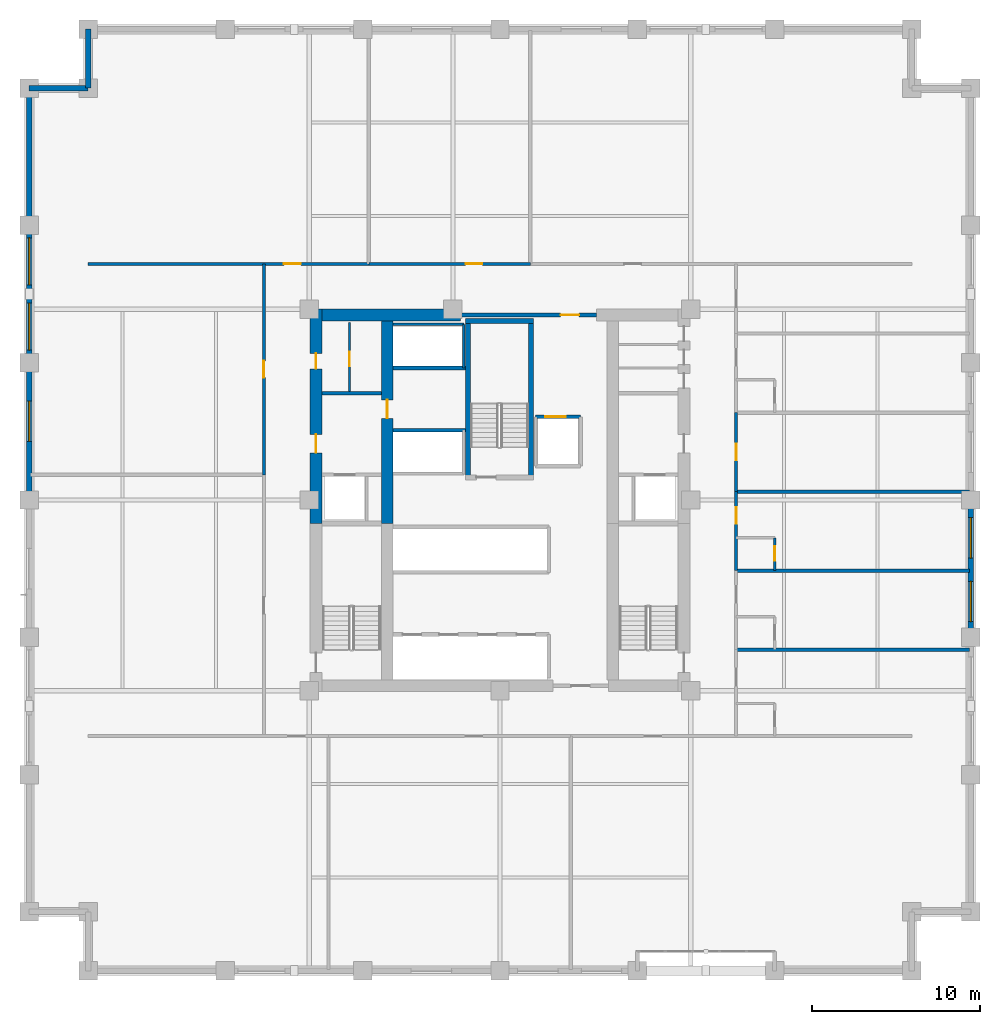
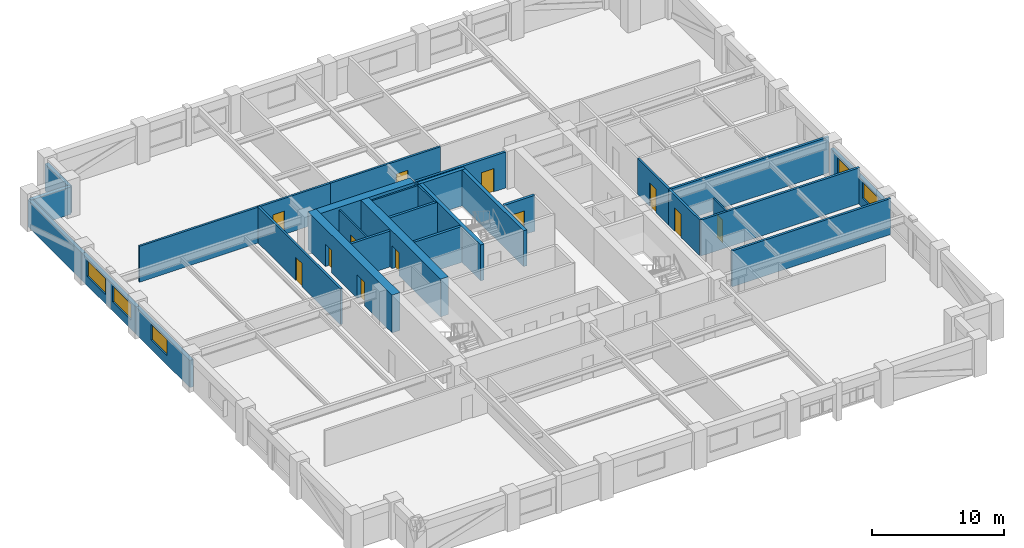
# One storey, part 7 of 11: 29 walls, 12 doors, 5 windows, 17 openings.
"""IFC4 building model written with IfcOpenShell, lengths in metres."""

from ifc_helpers import new_model, si_unit, direction, frame, frame_2d, origin, place, context, subcontext, project, spatial, rectangle, extrude, material, layer, layer_set, type_object, element, fill, save


model = new_model("IFC4")

# Units and contexts
model_context = context("Model", 3, precision=1e-05, world=origin(), true_north=direction((0.0, 1.0)))
body_context = subcontext(model_context, "Body", "Model", "MODEL_VIEW")
ifc_project = project(units=[si_unit("LENGTHUNIT", "METRE"), si_unit("AREAUNIT", "SQUARE_METRE"), si_unit("VOLUMEUNIT", "CUBIC_METRE"), si_unit("PLANEANGLEUNIT", "RADIAN"), si_unit("MASSUNIT", "GRAM", prefix="KILO")], contexts=[model_context])

# Site, building, storey
site_placement = place(None, origin())
site = spatial("IfcSite", under=ifc_project, at=site_placement, CompositionType="ELEMENT")
building_placement = place(site_placement, origin())
building = spatial("IfcBuilding", under=site, at=building_placement, Name="Nhamokura Convention Tower", CompositionType="ELEMENT")
storey_placement = place(building_placement, frame((0.0, 0.0, 70.35009765625)))
storey = spatial("IfcBuildingStorey", under=building, at=storey_placement, Name="L16", CompositionType="ELEMENT", Elevation=70.35009765625)

# Wall, opening, door
ifc_material_1 = material(Name="Moisture-resistant tile-backer partition", Category="masonry")
ifc_layer_1 = layer(ifc_material_1, 0.139892578125)
ifc_layer_set_1 = layer_set([ifc_layer_1], Name="BathroomWetWall_140")
wall_type_1 = type_object("IfcWallType", Name="BathroomWetWall_140", PredefinedType="STANDARD", material=ifc_layer_set_1)
wall_1_placement = place(storey_placement, frame((23.050048828125, 38.449951171875, 0.0), z_axis=(0.0, 0.0, 1.0), x_axis=(0.0, 1.0, 0.0)))
wall_1 = element("IfcWall", 1, at=wall_1_placement, inside=storey, type_object=wall_type_1, Name="L16 Wall INT-L16-CWNWV", PredefinedType="STANDARD", context=body_context, shape_type="SweptSolid", body=[
    extrude(rectangle(XDim=4.10009765625, YDim=0.139892578125, at=frame_2d((2.050048828125, 0.0))), origin(), (0.0, 0.0, 1.0), 3.31982421875),
])
opening_1_placement = place(wall_1_placement, frame((1.5, 0.0, 0.0)))
opening_1 = element("IfcOpeningElement", 2, at=opening_1_placement, cuts=wall_1, Name="Opening D-11", PredefinedType="OPENING", context=body_context, shape_type="SweptSolid", body=[
    extrude(rectangle(XDim=0.8798828125, YDim=2.10009765625, at=frame_2d((0.43994140625, 1.050048828125))), frame((0.0, 0.079833984375, 0.0), z_axis=(0.0, -1.0, 0.0), x_axis=(1.0, 0.0, 0.0)), (0.0, 0.0, 1.0), 0.159912109375),
])
ifc_material_2 = material(Name="Solid oak hardwood", Category="wood")
door_type_1 = type_object("IfcDoorType", Name="BathroomDoor_880", OperationType="NOTDEFINED", PredefinedType="DOOR", material=ifc_material_2)
door_1_placement = place(opening_1_placement, origin())
door_1 = element("IfcDoor", 3, at=door_1_placement, inside=storey, type_object=door_type_1, Name="L16 Inner Store Door", OperationType="SINGLE_SWING_LEFT", OverallHeight=2.10009765625, OverallWidth=0.8798828125, PredefinedType="DOOR", context=body_context, shape_type="SweptSolid", body=[
    extrude(rectangle(XDim=0.8798828125, YDim=2.10009765625, at=frame_2d((0.43994140625, 1.050048828125))), frame((0.0, 0.02490234375, 0.0), z_axis=(0.0, -1.0, 0.0), x_axis=(1.0, 0.0, 0.0)), (0.0, 0.0, 1.0), 0.050048828125),
])
fill(opening_1, door_1)

wall_2_placement = place(storey_placement, frame((48.35009765625, 27.800048828125, 0.0), z_axis=(0.0, 0.0, 1.0), x_axis=(0.0, 1.0, 0.0)))
wall_2 = element("IfcWall", 4, at=wall_2_placement, inside=storey, type_object=wall_type_1, Name="L16 Wall INT-L16-BW-E02E", PredefinedType="STANDARD", context=body_context, shape_type="SweptSolid", body=[
    extrude(rectangle(XDim=1.949951171875, YDim=0.139892578125, at=frame_2d((0.97509765625, 0.0))), origin(), (0.0, 0.0, 1.0), 3.31982421875),
])
opening_2_placement = place(wall_2_placement, frame((0.580078125, 0.0, 0.0)))
opening_2 = element("IfcOpeningElement", 5, at=opening_2_placement, cuts=wall_2, Name="Opening D-11", PredefinedType="OPENING", context=body_context, shape_type="SweptSolid", body=[
    extrude(rectangle(XDim=0.8798828125, YDim=2.10009765625, at=frame_2d((0.43994140625, 1.050048828125))), frame((0.0, 0.079833984375, 0.0), z_axis=(0.0, -1.0, 0.0), x_axis=(1.0, 0.0, 0.0)), (0.0, 0.0, 1.0), 0.159912109375),
])
door_2_placement = place(opening_2_placement, origin())
door_2 = element("IfcDoor", 6, at=door_2_placement, inside=storey, type_object=door_type_1, Name="L16 Guest Room En-suite Door", OperationType="SINGLE_SWING_LEFT", OverallHeight=2.10009765625, OverallWidth=0.8798828125, PredefinedType="DOOR", context=body_context, shape_type="SweptSolid", body=[
    extrude(rectangle(XDim=0.8798828125, YDim=2.10009765625, at=frame_2d((0.43994140625, 1.050048828125))), frame((0.0, 0.02490234375, 0.0), z_axis=(0.0, -1.0, 0.0), x_axis=(1.0, 0.0, 0.0)), (0.0, 0.0, 1.0), 0.050048828125),
])
fill(opening_2, door_2)

# Wall, opening, window
ifc_material_3 = material(Name="Bronze-pigmented precast concrete C45/55", Category="concrete")
ifc_layer_2 = layer(ifc_material_3, 0.320068359375)
ifc_layer_set_2 = layer_set([ifc_layer_2], Name="BronzePrecastSpandrel_320")
wall_type_2 = type_object("IfcWallType", Name="BronzePrecastSpandrel_320", PredefinedType="USERDEFINED", material=ifc_layer_set_2)
wall_3_placement = place(storey_placement, frame((4.0, 32.0, 0.0), z_axis=(0.0, 0.0, 1.0), x_axis=(0.0, 1.0, 0.0)))
wall_3 = element("IfcWall", 7, at=wall_3_placement, inside=storey, type_object=wall_type_2, Name="L16 Masonry-Frame Wall WEST 3", ObjectType="SPANDREL_WALL", PredefinedType="USERDEFINED", context=body_context, shape_type="SweptSolid", body=[
    extrude(rectangle(XDim=8.166748046875, YDim=0.320068359375, at=frame_2d((4.08349609375, 0.0))), origin(), (0.0, 0.0, 1.0), 2.52001953125),
])
opening_3_placement = place(wall_3_placement, frame((3.4833984375, 0.0, 0.85009765625)))
opening_3 = element("IfcOpeningElement", 8, at=opening_3_placement, cuts=wall_3, Name="Opening W-03", PredefinedType="OPENING", context=body_context, shape_type="SweptSolid", body=[
    extrude(rectangle(XDim=2.39990234375, YDim=1.469970703125, at=frame_2d((1.199951171875, 0.73486328125))), frame((0.0, 0.169921875, 0.0), z_axis=(0.0, -1.0, 0.0), x_axis=(1.0, 0.0, 0.0)), (0.0, 0.0, 1.0), 0.340087890625),
])
ifc_material_4 = material(Name="Solar-control bronze low-E double glass", Category="glass")
window_type_1 = type_object("IfcWindowType", Name="HotelBayWindow_2400", PartitioningType="DOUBLE_PANEL_VERTICAL", PredefinedType="WINDOW", material=ifc_material_4)
window_1_placement = place(opening_3_placement, origin())
window_1 = element("IfcWindow", 9, at=window_1_placement, inside=storey, type_object=window_type_1, Name="L16 Facade Window WEST 3-2", OverallHeight=1.469970703125, OverallWidth=2.39990234375, PartitioningType="SINGLE_PANEL", PredefinedType="WINDOW", context=body_context, shape_type="SweptSolid", body=[
    extrude(rectangle(XDim=2.39990234375, YDim=1.469970703125, at=frame_2d((1.199951171875, 0.73486328125))), frame((0.0, 0.030029296875, 0.0), z_axis=(0.0, -1.0, 0.0), x_axis=(1.0, 0.0, 0.0)), (0.0, 0.0, 1.0), 0.06005859375),
])
fill(opening_3, window_1)

# Wall, openings, windows
wall_4_placement = place(storey_placement, frame((4.0, 40.166748046875, 0.0), z_axis=(0.0, 0.0, 1.0), x_axis=(0.0, 1.0, 0.0)))
wall_4 = element("IfcWall", 10, at=wall_4_placement, inside=storey, type_object=wall_type_2, Name="L16 Masonry-Frame Wall WEST 4", ObjectType="SPANDREL_WALL", PredefinedType="USERDEFINED", context=body_context, shape_type="SweptSolid", body=[
    extrude(rectangle(XDim=8.16650390625, YDim=0.320068359375, at=frame_2d((4.083251953125, 0.0))), origin(), (0.0, 0.0, 1.0), 2.52001953125),
])
opening_4_placement = place(wall_4_placement, frame((0.74169921875, 0.0, 0.85009765625)))
opening_4 = element("IfcOpeningElement", 11, at=opening_4_placement, cuts=wall_4, Name="Opening W-04", PredefinedType="OPENING", context=body_context, shape_type="SweptSolid", body=[
    extrude(rectangle(XDim=2.800048828125, YDim=1.469970703125, at=frame_2d((1.39990234375, 0.73486328125))), frame((0.0, 0.169921875, 0.0), z_axis=(0.0, -1.0, 0.0), x_axis=(1.0, 0.0, 0.0)), (0.0, 0.0, 1.0), 0.340087890625),
])
opening_5_placement = place(wall_4_placement, frame((4.625, 0.0, 0.85009765625)))
opening_5 = element("IfcOpeningElement", 12, at=opening_5_placement, cuts=wall_4, Name="Opening W-04", PredefinedType="OPENING", context=body_context, shape_type="SweptSolid", body=[
    extrude(rectangle(XDim=2.800048828125, YDim=1.469970703125, at=frame_2d((1.39990234375, 0.73486328125))), frame((0.0, 0.169921875, 0.0), z_axis=(0.0, -1.0, 0.0), x_axis=(1.0, 0.0, 0.0)), (0.0, 0.0, 1.0), 0.340087890625),
])
ifc_material_5 = material(Name="Solar-control bronze low-E double glass", Category="glass")
window_type_2 = type_object("IfcWindowType", Name="HotelSuiteWindow_2800", PartitioningType="DOUBLE_PANEL_VERTICAL", PredefinedType="WINDOW", material=ifc_material_5)
window_2_placement = place(opening_4_placement, origin())
window_2 = element("IfcWindow", 13, at=window_2_placement, inside=storey, type_object=window_type_2, Name="L16 Facade Window WEST 4-1", OverallHeight=1.469970703125, OverallWidth=2.800048828125, PartitioningType="SINGLE_PANEL", PredefinedType="WINDOW", context=body_context, shape_type="SweptSolid", body=[
    extrude(rectangle(XDim=2.800048828125, YDim=1.469970703125, at=frame_2d((1.39990234375, 0.73486328125))), frame((0.0, 0.030029296875, 0.0), z_axis=(0.0, -1.0, 0.0), x_axis=(1.0, 0.0, 0.0)), (0.0, 0.0, 1.0), 0.06005859375),
])
fill(opening_4, window_2)
window_3_placement = place(opening_5_placement, origin())
window_3 = element("IfcWindow", 14, at=window_3_placement, inside=storey, type_object=window_type_2, Name="L16 Facade Window WEST 4-2", OverallHeight=1.469970703125, OverallWidth=2.800048828125, PartitioningType="SINGLE_PANEL", PredefinedType="WINDOW", context=body_context, shape_type="SweptSolid", body=[
    extrude(rectangle(XDim=2.800048828125, YDim=1.469970703125, at=frame_2d((1.39990234375, 0.73486328125))), frame((0.0, 0.030029296875, 0.0), z_axis=(0.0, -1.0, 0.0), x_axis=(1.0, 0.0, 0.0)), (0.0, 0.0, 1.0), 0.06005859375),
])
fill(opening_5, window_3)

# Wall
wall_5_placement = place(storey_placement, frame((4.0, 48.333251953125, 0.0), z_axis=(0.0, 0.0, 1.0), x_axis=(0.0, 1.0, 0.0)))
element("IfcWall", 15, at=wall_5_placement, inside=storey, type_object=wall_type_2, Name="L16 Braced-Bay Precast Wall WEST 5", ObjectType="SPANDREL_WALL", PredefinedType="USERDEFINED", context=body_context, shape_type="SweptSolid", body=[
    extrude(rectangle(XDim=8.166748046875, YDim=0.320068359375, at=frame_2d((4.08349609375, 0.0))), origin(), (0.0, 0.0, 1.0), 2.52001953125),
])

# Wall, openings, windows
wall_6_placement = place(storey_placement, frame((60.0, 32.0, 0.0), z_axis=(0.0, 0.0, 1.0), x_axis=(0.0, -1.0, 0.0)))
wall_6 = element("IfcWall", 16, at=wall_6_placement, inside=storey, type_object=wall_type_2, Name="L16 Masonry-Frame Wall EAST 2", ObjectType="SPANDREL_WALL", PredefinedType="USERDEFINED", context=body_context, shape_type="SweptSolid", body=[
    extrude(rectangle(XDim=8.166748046875, YDim=0.320068359375, at=frame_2d((4.08349609375, 0.0))), origin(), (0.0, 0.0, 1.0), 2.52001953125),
])
opening_6_placement = place(wall_6_placement, frame((1.050048828125, 0.0, 0.85009765625)))
opening_6 = element("IfcOpeningElement", 17, at=opening_6_placement, cuts=wall_6, Name="Opening W-03", PredefinedType="OPENING", context=body_context, shape_type="SweptSolid", body=[
    extrude(rectangle(XDim=2.39990234375, YDim=1.469970703125, at=frame_2d((1.199951171875, 0.73486328125))), frame((0.0, 0.169921875, 0.0), z_axis=(0.0, -1.0, 0.0), x_axis=(1.0, 0.0, 0.0)), (0.0, 0.0, 1.0), 0.340087890625),
])
opening_7_placement = place(wall_6_placement, frame((4.833251953125, 0.0, 0.85009765625)))
opening_7 = element("IfcOpeningElement", 18, at=opening_7_placement, cuts=wall_6, Name="Opening W-03", PredefinedType="OPENING", context=body_context, shape_type="SweptSolid", body=[
    extrude(rectangle(XDim=2.39990234375, YDim=1.469970703125, at=frame_2d((1.199951171875, 0.73486328125))), frame((0.0, 0.169921875, 0.0), z_axis=(0.0, -1.0, 0.0), x_axis=(1.0, 0.0, 0.0)), (0.0, 0.0, 1.0), 0.340087890625),
])
window_4_placement = place(opening_6_placement, origin())
window_4 = element("IfcWindow", 19, at=window_4_placement, inside=storey, type_object=window_type_1, Name="L16 Facade Window EAST 2-1", OverallHeight=1.469970703125, OverallWidth=2.39990234375, PartitioningType="SINGLE_PANEL", PredefinedType="WINDOW", context=body_context, shape_type="SweptSolid", body=[
    extrude(rectangle(XDim=2.39990234375, YDim=1.469970703125, at=frame_2d((1.199951171875, 0.73486328125))), frame((0.0, 0.030029296875, 0.0), z_axis=(0.0, -1.0, 0.0), x_axis=(1.0, 0.0, 0.0)), (0.0, 0.0, 1.0), 0.06005859375),
])
fill(opening_6, window_4)
window_5_placement = place(opening_7_placement, origin())
window_5 = element("IfcWindow", 20, at=window_5_placement, inside=storey, type_object=window_type_1, Name="L16 Facade Window EAST 2-2", OverallHeight=1.469970703125, OverallWidth=2.39990234375, PartitioningType="SINGLE_PANEL", PredefinedType="WINDOW", context=body_context, shape_type="SweptSolid", body=[
    extrude(rectangle(XDim=2.39990234375, YDim=1.469970703125, at=frame_2d((1.199951171875, 0.73486328125))), frame((0.0, 0.030029296875, 0.0), z_axis=(0.0, -1.0, 0.0), x_axis=(1.0, 0.0, 0.0)), (0.0, 0.0, 1.0), 0.06005859375),
])
fill(opening_7, window_5)

# Walls
for number, where, z_axis, x_axis, name in (
    (21, (7.5, 56.5, 0.0), (0.0, 0.0, 1.0), (0.0, 1.0, 0.0), "L16 Notched Corner Wall NW1"),
    (22, (4.0, 56.5, 0.0), (0.0, 0.0, 1.0), (1.0, 0.0, 0.0), "L16 Notched Corner Wall NW2"),
):
    element("IfcWall", number, at=place(storey_placement, frame(where, z_axis=z_axis, x_axis=x_axis)), inside=storey, type_object=wall_type_2, Name=name, ObjectType="SPANDREL_WALL", PredefinedType="USERDEFINED", context=body_context, shape_type="SweptSolid", body=[
        extrude(rectangle(XDim=3.5, YDim=0.320068359375, at=frame_2d((1.75, 0.0))), origin(), (0.0, 0.0, 1.0), 2.52001953125),
    ])

# Wall, openings, doors
ifc_material_6 = material(Name="Concrete C70/85", Category="concrete")
ifc_layer_3 = layer(ifc_material_6, 0.699951171875)
ifc_layer_set_3 = layer_set([ifc_layer_3], Name="CoreShearWall_700")
wall_type_3 = type_object("IfcWallType", Name="CoreShearWall_700", PredefinedType="SHEAR", material=ifc_layer_set_3)
wall_7_placement = place(storey_placement, frame((21.06005859375, 30.60009765625, 0.0), z_axis=(0.0, 0.0, 1.0), x_axis=(0.0, 1.0, 0.0)))
wall_7 = element("IfcWall", 23, at=wall_7_placement, inside=storey, type_object=wall_type_3, Name="L16 Core Shear Wall CW-WN", PredefinedType="SHEAR", context=body_context, shape_type="SweptSolid", body=[
    extrude(rectangle(XDim=12.75, YDim=0.699951171875, at=frame_2d((6.375, 0.0))), origin(), (0.0, 0.0, 1.0), 3.5),
])
opening_8_placement = place(wall_7_placement, frame((4.199951171875, 0.0, 0.0)))
opening_8 = element("IfcOpeningElement", 24, at=opening_8_placement, cuts=wall_7, Name="Opening D-05", PredefinedType="OPENING", context=body_context, shape_type="SweptSolid", body=[
    extrude(rectangle(XDim=1.10009765625, YDim=2.14990234375, at=frame_2d((0.550048828125, 1.074951171875))), frame((0.0, 0.35986328125, 0.0), z_axis=(0.0, -1.0, 0.0), x_axis=(1.0, 0.0, 0.0)), (0.0, 0.0, 1.0), 0.719970703125),
])
opening_9_placement = place(wall_7_placement, frame((9.199951171875, 0.0, 0.0)))
opening_9 = element("IfcOpeningElement", 25, at=opening_9_placement, cuts=wall_7, Name="Opening D-10", PredefinedType="OPENING", context=body_context, shape_type="SweptSolid", body=[
    extrude(rectangle(XDim=0.919921875, YDim=2.10009765625, at=frame_2d((0.4599609375, 1.050048828125))), frame((0.0, 0.35986328125, 0.0), z_axis=(0.0, -1.0, 0.0), x_axis=(1.0, 0.0, 0.0)), (0.0, 0.0, 1.0), 0.719970703125),
])
ifc_material_7 = material(Name="Solid oak hardwood", Category="wood")
door_type_2 = type_object("IfcDoorType", Name="AccessibleWCDoor_920", OperationType="NOTDEFINED", PredefinedType="DOOR", material=ifc_material_7)
door_3_placement = place(opening_9_placement, origin())
door_3 = element("IfcDoor", 26, at=door_3_placement, inside=storey, type_object=door_type_2, Name="L16 Core Door INT-L16-D-AWCW", OperationType="SINGLE_SWING_RIGHT", OverallHeight=2.10009765625, OverallWidth=0.919921875, PredefinedType="DOOR", context=body_context, shape_type="SweptSolid", body=[
    extrude(rectangle(XDim=0.919921875, YDim=2.10009765625, at=frame_2d((0.4599609375, 1.050048828125))), frame((0.0, 0.02490234375, 0.0), z_axis=(0.0, -1.0, 0.0), x_axis=(1.0, 0.0, 0.0)), (0.0, 0.0, 1.0), 0.050048828125),
])
fill(opening_9, door_3)
ifc_material_8 = material(Name="Fire-rated steel door", Category="steel")
door_type_3 = type_object("IfcDoorType", Name="FireLobbyDoor_1100", OperationType="NOTDEFINED", PredefinedType="DOOR", material=ifc_material_8)
door_4_placement = place(opening_8_placement, origin())
door_4 = element("IfcDoor", 27, at=door_4_placement, inside=storey, type_object=door_type_3, Name="L16 Core Door INT-L16-D-FFLW", OperationType="SINGLE_SWING_RIGHT", OverallHeight=2.14990234375, OverallWidth=1.10009765625, PredefinedType="DOOR", context=body_context, shape_type="SweptSolid", body=[
    extrude(rectangle(XDim=1.10009765625, YDim=2.14990234375, at=frame_2d((0.550048828125, 1.074951171875))), frame((0.0, 0.02490234375, 0.0), z_axis=(0.0, -1.0, 0.0), x_axis=(1.0, 0.0, 0.0)), (0.0, 0.0, 1.0), 0.050048828125),
])
fill(opening_8, door_4)

# Wall
wall_8_placement = place(storey_placement, frame((21.409912109375, 43.0, 0.0), z_axis=(0.0, 0.0, 1.0), x_axis=(1.0, 0.0, 0.0)))
element("IfcWall", 28, at=wall_8_placement, inside=storey, type_object=wall_type_3, Name="L16 Core Shear Wall CW-N1", PredefinedType="SHEAR", context=body_context, shape_type="SweptSolid", body=[
    extrude(rectangle(XDim=8.239990234375, YDim=0.699951171875, at=frame_2d((4.1201171875, 0.0))), origin(), (0.0, 0.0, 1.0), 3.5),
])

# Wall, opening, door
wall_9_placement = place(storey_placement, frame((25.2900390625, 30.60009765625, 0.0), z_axis=(0.0, 0.0, 1.0), x_axis=(0.0, 1.0, 0.0)))
wall_9 = element("IfcWall", 29, at=wall_9_placement, inside=storey, type_object=wall_type_3, Name="L16 Core Shear Wall CW-IWN", PredefinedType="SHEAR", context=body_context, shape_type="SweptSolid", body=[
    extrude(rectangle(XDim=12.0498046875, YDim=0.699951171875, at=frame_2d((6.02490234375, 0.0))), origin(), (0.0, 0.0, 1.0), 3.5),
])
opening_10_placement = place(wall_9_placement, frame((6.25, 0.0, 0.0)))
opening_10 = element("IfcOpeningElement", 30, at=opening_10_placement, cuts=wall_9, Name="Opening D-05", PredefinedType="OPENING", context=body_context, shape_type="SweptSolid", body=[
    extrude(rectangle(XDim=1.10009765625, YDim=2.14990234375, at=frame_2d((0.550048828125, 1.074951171875))), frame((0.0, 0.35986328125, 0.0), z_axis=(0.0, -1.0, 0.0), x_axis=(1.0, 0.0, 0.0)), (0.0, 0.0, 1.0), 0.719970703125),
])
door_5_placement = place(opening_10_placement, origin())
door_5 = element("IfcDoor", 31, at=door_5_placement, inside=storey, type_object=door_type_3, Name="L16 Core Door INT-L16-D-B3LOB", OperationType="SINGLE_SWING_LEFT", OverallHeight=2.14990234375, OverallWidth=1.10009765625, PredefinedType="DOOR", context=body_context, shape_type="SweptSolid", body=[
    extrude(rectangle(XDim=1.10009765625, YDim=2.14990234375, at=frame_2d((0.550048828125, 1.074951171875))), frame((0.0, 0.02490234375, 0.0), z_axis=(0.0, -1.0, 0.0), x_axis=(1.0, 0.0, 0.0)), (0.0, 0.0, 1.0), 0.050048828125),
])
fill(opening_10, door_5)

ifc_material_9 = material(Name="Fire-rated gypsum and masonry partition", Category="masonry")
ifc_layer_4 = layer(ifc_material_9, 0.179931640625)
ifc_layer_set_4 = layer_set([ifc_layer_4], Name="CorridorRatedWall_180")
wall_type_4 = type_object("IfcWallType", Name="CorridorRatedWall_180", PredefinedType="STANDARD", material=ifc_layer_set_4)
wall_10_placement = place(storey_placement, frame((7.5, 46.050048828125, 0.0), z_axis=(0.0, 0.0, 1.0), x_axis=(1.0, 0.0, 0.0)))
wall_10 = element("IfcWall", 32, at=wall_10_placement, inside=storey, type_object=wall_type_4, Name="L16 Wall INT-L16-CW-N00", PredefinedType="STANDARD", context=body_context, shape_type="SweptSolid", body=[
    extrude(rectangle(XDim=16.699951171875, YDim=0.179931640625, at=frame_2d((8.35009765625, 0.0))), origin(), (0.0, 0.0, 1.0), 3.31982421875),
])
opening_11_placement = place(wall_10_placement, frame((11.64990234375, 0.0, 0.0)))
opening_11 = element("IfcOpeningElement", 33, at=opening_11_placement, cuts=wall_10, Name="Opening D-07", PredefinedType="OPENING", context=body_context, shape_type="SweptSolid", body=[
    extrude(rectangle(XDim=1.0, YDim=2.14990234375, at=frame_2d((0.5, 1.074951171875))), frame((0.0, 0.099853515625, 0.0), z_axis=(0.0, -1.0, 0.0), x_axis=(1.0, 0.0, 0.0)), (0.0, 0.0, 1.0), 0.199951171875),
])
ifc_material_10 = material(Name="Solid oak hardwood", Category="wood")
door_type_4 = type_object("IfcDoorType", Name="HotelSuiteEntryDoor_1000", OperationType="NOTDEFINED", PredefinedType="DOOR", material=ifc_material_10)
door_6_placement = place(opening_11_placement, origin())
door_6 = element("IfcDoor", 34, at=door_6_placement, inside=storey, type_object=door_type_4, Name="L16 Conference Salon N01 Door", OperationType="SINGLE_SWING_LEFT", OverallHeight=2.14990234375, OverallWidth=1.0, PredefinedType="DOOR", context=body_context, shape_type="SweptSolid", body=[
    extrude(rectangle(XDim=1.0, YDim=2.14990234375, at=frame_2d((0.5, 1.074951171875))), frame((0.0, 0.02490234375, 0.0), z_axis=(0.0, -1.0, 0.0), x_axis=(1.0, 0.0, 0.0)), (0.0, 0.0, 1.0), 0.050048828125),
])
fill(opening_11, door_6)

wall_11_placement = place(storey_placement, frame((24.199951171875, 46.050048828125, 0.0), z_axis=(0.0, 0.0, 1.0), x_axis=(1.0, 0.0, 0.0)))
wall_11 = element("IfcWall", 35, at=wall_11_placement, inside=storey, type_object=wall_type_4, Name="L16 Wall INT-L16-CW-N01", PredefinedType="STANDARD", context=body_context, shape_type="SweptSolid", body=[
    extrude(rectangle(XDim=9.60009765625, YDim=0.179931640625, at=frame_2d((4.800048828125, 0.0))), origin(), (0.0, 0.0, 1.0), 3.31982421875),
])
opening_12_placement = place(wall_11_placement, frame((5.75, 0.0, 0.0)))
opening_12 = element("IfcOpeningElement", 36, at=opening_12_placement, cuts=wall_11, Name="Opening D-07", PredefinedType="OPENING", context=body_context, shape_type="SweptSolid", body=[
    extrude(rectangle(XDim=1.0, YDim=2.14990234375, at=frame_2d((0.5, 1.074951171875))), frame((0.0, 0.099853515625, 0.0), z_axis=(0.0, -1.0, 0.0), x_axis=(1.0, 0.0, 0.0)), (0.0, 0.0, 1.0), 0.199951171875),
])
door_7_placement = place(opening_12_placement, origin())
door_7 = element("IfcDoor", 37, at=door_7_placement, inside=storey, type_object=door_type_4, Name="L16 Conference Salon N02 Door", OperationType="SINGLE_SWING_RIGHT", OverallHeight=2.14990234375, OverallWidth=1.0, PredefinedType="DOOR", context=body_context, shape_type="SweptSolid", body=[
    extrude(rectangle(XDim=1.0, YDim=2.14990234375, at=frame_2d((0.5, 1.074951171875))), frame((0.0, 0.02490234375, 0.0), z_axis=(0.0, -1.0, 0.0), x_axis=(1.0, 0.0, 0.0)), (0.0, 0.0, 1.0), 0.050048828125),
])
fill(opening_12, door_7)

wall_12_placement = place(storey_placement, frame((17.949951171875, 33.5, 0.0), z_axis=(0.0, 0.0, 1.0), x_axis=(0.0, 1.0, 0.0)))
wall_12 = element("IfcWall", 38, at=wall_12_placement, inside=storey, type_object=wall_type_4, Name="L16 Wall INT-L16-CW-W01", PredefinedType="STANDARD", context=body_context, shape_type="SweptSolid", body=[
    extrude(rectangle(XDim=12.550048828125, YDim=0.179931640625, at=frame_2d((6.27490234375, 0.0))), origin(), (0.0, 0.0, 1.0), 3.31982421875),
])
opening_13_placement = place(wall_12_placement, frame((5.77490234375, 0.0, 0.0)))
opening_13 = element("IfcOpeningElement", 39, at=opening_13_placement, cuts=wall_12, Name="Opening D-07", PredefinedType="OPENING", context=body_context, shape_type="SweptSolid", body=[
    extrude(rectangle(XDim=1.0, YDim=2.14990234375, at=frame_2d((0.5, 1.074951171875))), frame((0.0, 0.099853515625, 0.0), z_axis=(0.0, -1.0, 0.0), x_axis=(1.0, 0.0, 0.0)), (0.0, 0.0, 1.0), 0.199951171875),
])
door_8_placement = place(opening_13_placement, origin())
door_8 = element("IfcDoor", 40, at=door_8_placement, inside=storey, type_object=door_type_4, Name="L16 Hotel Club Dining Room W02 Door", OperationType="SINGLE_SWING_RIGHT", OverallHeight=2.14990234375, OverallWidth=1.0, PredefinedType="DOOR", context=body_context, shape_type="SweptSolid", body=[
    extrude(rectangle(XDim=1.0, YDim=2.14990234375, at=frame_2d((0.5, 1.074951171875))), frame((0.0, 0.02490234375, 0.0), z_axis=(0.0, -1.0, 0.0), x_axis=(1.0, 0.0, 0.0)), (0.0, 0.0, 1.0), 0.050048828125),
])
fill(opening_13, door_8)

wall_13_placement = place(storey_placement, frame((46.050048828125, 27.800048828125, 0.0), z_axis=(0.0, 0.0, 1.0), x_axis=(0.0, 1.0, 0.0)))
wall_13 = element("IfcWall", 41, at=wall_13_placement, inside=storey, type_object=wall_type_4, Name="L16 Wall INT-L16-CW-E02", PredefinedType="STANDARD", context=body_context, shape_type="SweptSolid", body=[
    extrude(rectangle(XDim=4.699951171875, YDim=0.179931640625, at=frame_2d((2.35009765625, 0.0))), origin(), (0.0, 0.0, 1.0), 3.31982421875),
])
opening_14_placement = place(wall_13_placement, frame((2.77490234375, 0.0, 0.0)))
opening_14 = element("IfcOpeningElement", 42, at=opening_14_placement, cuts=wall_13, Name="Opening D-07", PredefinedType="OPENING", context=body_context, shape_type="SweptSolid", body=[
    extrude(rectangle(XDim=1.0, YDim=2.14990234375, at=frame_2d((0.5, 1.074951171875))), frame((0.0, 0.099853515625, 0.0), z_axis=(0.0, -1.0, 0.0), x_axis=(1.0, 0.0, 0.0)), (0.0, 0.0, 1.0), 0.199951171875),
])
door_9_placement = place(opening_14_placement, origin())
door_9 = element("IfcDoor", 43, at=door_9_placement, inside=storey, type_object=door_type_4, Name="L16 Guest Room E03 Door", OperationType="SINGLE_SWING_LEFT", OverallHeight=2.14990234375, OverallWidth=1.0, PredefinedType="DOOR", context=body_context, shape_type="SweptSolid", body=[
    extrude(rectangle(XDim=1.0, YDim=2.14990234375, at=frame_2d((0.5, 1.074951171875))), frame((0.0, 0.02490234375, 0.0), z_axis=(0.0, -1.0, 0.0), x_axis=(1.0, 0.0, 0.0)), (0.0, 0.0, 1.0), 0.050048828125),
])
fill(opening_14, door_9)

wall_14_placement = place(storey_placement, frame((46.050048828125, 32.5, 0.0), z_axis=(0.0, 0.0, 1.0), x_axis=(0.0, 1.0, 0.0)))
wall_14 = element("IfcWall", 44, at=wall_14_placement, inside=storey, type_object=wall_type_4, Name="L16 Wall INT-L16-CW-E03", PredefinedType="STANDARD", context=body_context, shape_type="SweptSolid", body=[
    extrude(rectangle(XDim=4.699951171875, YDim=0.179931640625, at=frame_2d((2.35009765625, 0.0))), origin(), (0.0, 0.0, 1.0), 3.31982421875),
])
opening_15_placement = place(wall_14_placement, frame((1.85009765625, 0.0, 0.0)))
opening_15 = element("IfcOpeningElement", 45, at=opening_15_placement, cuts=wall_14, Name="Opening D-07", PredefinedType="OPENING", context=body_context, shape_type="SweptSolid", body=[
    extrude(rectangle(XDim=1.0, YDim=2.14990234375, at=frame_2d((0.5, 1.074951171875))), frame((0.0, 0.099853515625, 0.0), z_axis=(0.0, -1.0, 0.0), x_axis=(1.0, 0.0, 0.0)), (0.0, 0.0, 1.0), 0.199951171875),
])
door_10_placement = place(opening_15_placement, origin())
door_10 = element("IfcDoor", 46, at=door_10_placement, inside=storey, type_object=door_type_4, Name="L16 Housekeeping Store E04 Door", OperationType="SINGLE_SWING_RIGHT", OverallHeight=2.14990234375, OverallWidth=1.0, PredefinedType="DOOR", context=body_context, shape_type="SweptSolid", body=[
    extrude(rectangle(XDim=1.0, YDim=2.14990234375, at=frame_2d((0.5, 1.074951171875))), frame((0.0, 0.02490234375, 0.0), z_axis=(0.0, -1.0, 0.0), x_axis=(1.0, 0.0, 0.0)), (0.0, 0.0, 1.0), 0.050048828125),
])
fill(opening_15, door_10)

# Walls
ifc_material_11 = material(Name="Autoclaved concrete blockwork", Category="masonry")
ifc_layer_5 = layer(ifc_material_11, 0.219970703125)
ifc_layer_set_5 = layer_set([ifc_layer_5], Name="FireLobbyWall_220")
wall_type_5 = type_object("IfcWallType", Name="FireLobbyWall_220", PredefinedType="STANDARD", material=ifc_layer_set_5)
wall_15_placement = place(storey_placement, frame((21.409912109375, 38.35009765625, 0.0), z_axis=(0.0, 0.0, 1.0), x_axis=(1.0, 0.0, 0.0)))
element("IfcWall", 47, at=wall_15_placement, inside=storey, type_object=wall_type_5, Name="L16 Wall INT-L16-FFW-N", PredefinedType="STANDARD", context=body_context, shape_type="SweptSolid", body=[
    extrude(rectangle(XDim=3.530029296875, YDim=0.219970703125, at=frame_2d((1.76513671875, 0.0))), origin(), (0.0, 0.0, 1.0), 3.31982421875),
])
for number, where, z_axis, x_axis, name in (
    (48, (25.64990234375, 36.14990234375, 0.0), (0.0, 0.0, 1.0), (1.0, 0.0, 0.0), "L16 Wall INT-L16-B3S"),
    (49, (25.64990234375, 39.85009765625, 0.0), (0.0, 0.0, 1.0), (1.0, 0.0, 0.0), "L16 Wall INT-L16-B3N"),
):
    element("IfcWall", number, at=place(storey_placement, frame(where, z_axis=z_axis, x_axis=x_axis)), inside=storey, type_object=wall_type_5, Name=name, PredefinedType="STANDARD", context=body_context, shape_type="SweptSolid", body=[
        extrude(rectangle(XDim=4.300048828125, YDim=0.219970703125, at=frame_2d((2.14990234375, 0.0))), origin(), (0.0, 0.0, 1.0), 3.31982421875),
    ])

# Wall, opening, door
wall_16_placement = place(storey_placement, frame((29.64990234375, 43.0, 0.0), z_axis=(0.0, 0.0, 1.0), x_axis=(1.0, 0.0, 0.0)))
wall_16 = element("IfcWall", 50, at=wall_16_placement, inside=storey, type_object=wall_type_5, Name="L16 Wall INT-L16-CPORT-N", PredefinedType="STANDARD", context=body_context, shape_type="SweptSolid", body=[
    extrude(rectangle(XDim=8.10009765625, YDim=0.219970703125, at=frame_2d((4.050048828125, 0.0))), origin(), (0.0, 0.0, 1.0), 3.31982421875),
])
opening_16_placement = place(wall_16_placement, frame((5.949951171875, 0.0, 0.0)))
opening_16 = element("IfcOpeningElement", 51, at=opening_16_placement, cuts=wall_16, Name="Opening D-05", PredefinedType="OPENING", context=body_context, shape_type="SweptSolid", body=[
    extrude(rectangle(XDim=1.10009765625, YDim=2.14990234375, at=frame_2d((0.550048828125, 1.074951171875))), frame((0.0, 0.119873046875, 0.0), z_axis=(0.0, -1.0, 0.0), x_axis=(1.0, 0.0, 0.0)), (0.0, 0.0, 1.0), 0.239990234375),
])
door_11_placement = place(opening_16_placement, origin())
door_11 = element("IfcDoor", 52, at=door_11_placement, inside=storey, type_object=door_type_3, Name="L16 North Core Lobby Portal Door", OperationType="SINGLE_SWING_RIGHT", OverallHeight=2.14990234375, OverallWidth=1.10009765625, PredefinedType="DOOR", context=body_context, shape_type="SweptSolid", body=[
    extrude(rectangle(XDim=1.10009765625, YDim=2.14990234375, at=frame_2d((0.550048828125, 1.074951171875))), frame((0.0, 0.02490234375, 0.0), z_axis=(0.0, -1.0, 0.0), x_axis=(1.0, 0.0, 0.0)), (0.0, 0.0, 1.0), 0.050048828125),
])
fill(opening_16, door_11)

wall_17_placement = place(storey_placement, frame((34.1201171875, 36.949951171875, 0.0), z_axis=(0.0, 0.0, 1.0), x_axis=(1.0, 0.0, 0.0)))
wall_17 = element("IfcWall", 53, at=wall_17_placement, inside=storey, type_object=wall_type_5, Name="L16 Wall INT-L16-LSN", PredefinedType="STANDARD", context=body_context, shape_type="SweptSolid", body=[
    extrude(rectangle(XDim=2.679931640625, YDim=0.219970703125, at=frame_2d((1.33984375, 0.0))), origin(), (0.0, 0.0, 1.0), 3.31982421875),
])
opening_17_placement = place(wall_17_placement, frame((0.580078125, 0.0, 0.0)))
opening_17 = element("IfcOpeningElement", 54, at=opening_17_placement, cuts=wall_17, Name="Opening LD-02", PredefinedType="OPENING", context=body_context, shape_type="SweptSolid", body=[
    extrude(rectangle(XDim=1.199951171875, YDim=2.199951171875, at=frame_2d((0.60009765625, 1.10009765625))), frame((0.0, 0.119873046875, 0.0), z_axis=(0.0, -1.0, 0.0), x_axis=(1.0, 0.0, 0.0)), (0.0, 0.0, 1.0), 0.239990234375),
])
ifc_material_12 = material(Name="Anodised bronze stainless steel", Category="steel")
door_type_5 = type_object("IfcDoorType", Name="LiftLandingDoor_FireService", OperationType="DOUBLE_DOOR_SLIDING", PredefinedType="DOOR", material=ifc_material_12)
door_12_placement = place(opening_17_placement, origin())
door_12 = element("IfcDoor", 55, at=door_12_placement, inside=storey, type_object=door_type_5, Name="L16 Service Lift LS-01 Door", OperationType="DOUBLE_DOOR_SLIDING", OverallHeight=2.199951171875, OverallWidth=1.199951171875, PredefinedType="DOOR", context=body_context, shape_type="SweptSolid", body=[
    extrude(rectangle(XDim=1.199951171875, YDim=2.199951171875, at=frame_2d((0.60009765625, 1.10009765625))), frame((0.0, 0.02490234375, 0.0), z_axis=(0.0, -1.0, 0.0), x_axis=(1.0, 0.0, 0.0)), (0.0, 0.0, 1.0), 0.050048828125),
])
fill(opening_17, door_12)

# Walls
ifc_material_13 = material(Name="Acoustic twin-stud gypsum partition", Category="masonry")
ifc_layer_6 = layer(ifc_material_13, 0.199951171875)
ifc_layer_set_6 = layer_set([ifc_layer_6], Name="HotelDemisingWall_200")
wall_type_6 = type_object("IfcWallType", Name="HotelDemisingWall_200", PredefinedType="STANDARD", material=ifc_layer_set_6)
for number, where, z_axis, x_axis, name in (
    (56, (46.050048828125, 23.10009765625, 0.0), (0.0, 0.0, 1.0), (1.0, 0.0, 0.0), "L16 Wall INT-L16-RW-E01"),
    (57, (46.050048828125, 27.800048828125, 0.0), (0.0, 0.0, 1.0), (1.0, 0.0, 0.0), "L16 Wall INT-L16-RW-E02"),
    (58, (46.050048828125, 32.5, 0.0), (0.0, 0.0, 1.0), (1.0, 0.0, 0.0), "L16 Wall INT-L16-RW-E03"),
):
    element("IfcWall", number, at=place(storey_placement, frame(where, z_axis=z_axis, x_axis=x_axis)), inside=storey, type_object=wall_type_6, Name=name, PredefinedType="STANDARD", context=body_context, shape_type="SweptSolid", body=[
        extrude(rectangle(XDim=13.889892578125, YDim=0.199951171875, at=frame_2d((6.94482421875, 0.0))), origin(), (0.0, 0.0, 1.0), 3.31982421875),
    ])
ifc_material_14 = material(Name="Acoustic gypsum stud partition", Category="masonry")
ifc_layer_7 = layer(ifc_material_14, 0.14990234375)
ifc_layer_set_7 = layer_set([ifc_layer_7], Name="InteriorPartition_150")
wall_type_7 = type_object("IfcWallType", Name="InteriorPartition_150", PredefinedType="STANDARD", material=ifc_layer_set_7)
wall_18_placement = place(storey_placement, frame((25.64990234375, 42.449951171875, 0.0), z_axis=(0.0, 0.0, 1.0), x_axis=(1.0, 0.0, 0.0)))
element("IfcWall", 59, at=wall_18_placement, inside=storey, type_object=wall_type_7, Name="L16 Wall INT-L16-B3B-N", PredefinedType="STANDARD", context=body_context, shape_type="SweptSolid", body=[
    extrude(rectangle(XDim=4.2001953125, YDim=0.14990234375, at=frame_2d((2.10009765625, 0.0))), origin(), (0.0, 0.0, 1.0), 3.31982421875),
])
wall_19_placement = place(storey_placement, frame((29.85009765625, 39.85009765625, 0.0), z_axis=(0.0, 0.0, 1.0), x_axis=(0.0, 1.0, 0.0)))
element("IfcWall", 60, at=wall_19_placement, inside=storey, type_object=wall_type_7, Name="L16 Wall INT-L16-B3B-E", PredefinedType="STANDARD", context=body_context, shape_type="SweptSolid", body=[
    extrude(rectangle(XDim=2.599853515625, YDim=0.14990234375, at=frame_2d((1.2998046875, 0.0))), origin(), (0.0, 0.0, 1.0), 3.31982421875),
])
ifc_material_15 = material(Name="Concrete C50/60", Category="concrete")
ifc_layer_8 = layer(ifc_material_15, 0.300048828125)
ifc_layer_set_8 = layer_set([ifc_layer_8], Name="ShaftEnclosureWall_300")
wall_type_8 = type_object("IfcWallType", Name="ShaftEnclosureWall_300", PredefinedType="SHEAR", material=ifc_layer_set_8)
for number, where, z_axis, x_axis, name in (
    (61, (30.10009765625, 33.199951171875, 0.0), (0.0, 0.0, 1.0), (0.0, 1.0, 0.0), "L16 Wall INT-L16-ST03W"),
    (62, (33.85009765625, 33.199951171875, 0.0), (0.0, 0.0, 1.0), (0.0, 1.0, 0.0), "L16 Wall INT-L16-ST03E"),
):
    element("IfcWall", number, at=place(storey_placement, frame(where, z_axis=z_axis, x_axis=x_axis)), inside=storey, type_object=wall_type_8, Name=name, PredefinedType="SHEAR", context=body_context, shape_type="SweptSolid", body=[
        extrude(rectangle(XDim=9.60009765625, YDim=0.300048828125, at=frame_2d((4.800048828125, 0.0))), origin(), (0.0, 0.0, 1.0), 3.31982421875),
    ])
wall_20_placement = place(storey_placement, frame((29.949951171875, 42.64990234375, 0.0), z_axis=(0.0, 0.0, 1.0), x_axis=(1.0, 0.0, 0.0)))
element("IfcWall", 63, at=wall_20_placement, inside=storey, type_object=wall_type_8, Name="L16 Wall INT-L16-ST03N", PredefinedType="SHEAR", context=body_context, shape_type="SweptSolid", body=[
    extrude(rectangle(XDim=4.050048828125, YDim=0.300048828125, at=frame_2d((2.02490234375, 0.0))), origin(), (0.0, 0.0, 1.0), 3.31982421875),
])

save(model, "model.ifc")
